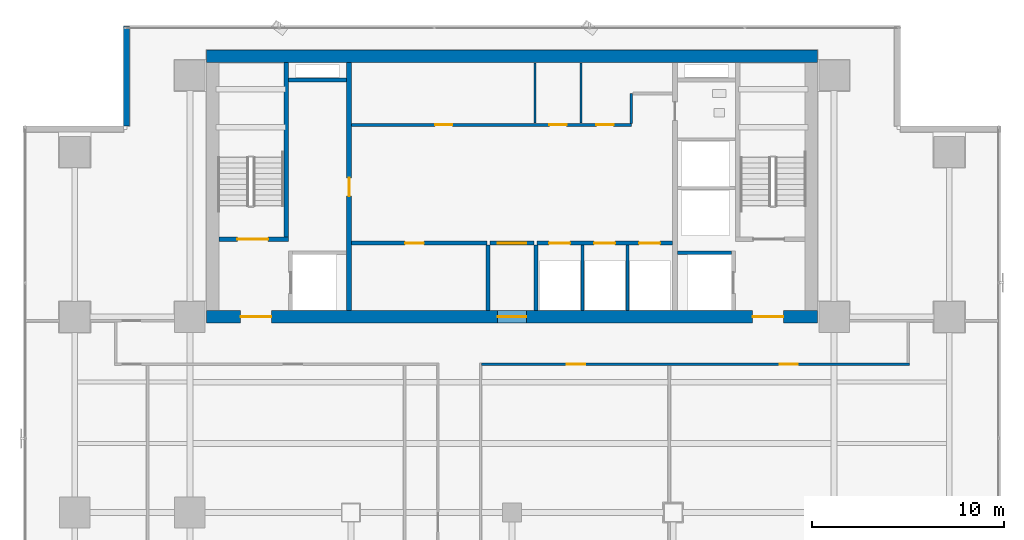
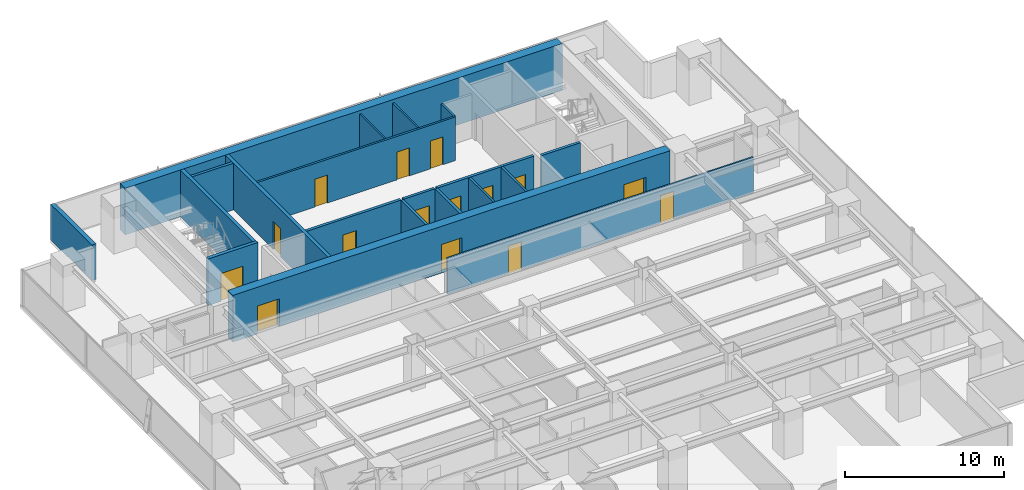
# One storey, part 29 of 37: 20 walls, 15 doors, 15 openings.
"""IFC4 building model written with IfcOpenShell, lengths in metres."""

from ifc_helpers import new_model, si_unit, direction, frame, frame_2d, origin, place, context, subcontext, project, spatial, rectangle, extrude, source, transform, mapped, material, layer, layer_set, type_object, element, fill, save


model = new_model("IFC4")

# Units and contexts
model_context = context("Model", 3, precision=1e-05, world=origin(), true_north=direction((0.0, 1.0)))
body_context = subcontext(model_context, "Body", "Model", "MODEL_VIEW")
ifc_project = project(units=[si_unit("LENGTHUNIT", "METRE"), si_unit("AREAUNIT", "SQUARE_METRE"), si_unit("VOLUMEUNIT", "CUBIC_METRE"), si_unit("PLANEANGLEUNIT", "RADIAN"), si_unit("MASSUNIT", "GRAM", prefix="KILO")], contexts=[model_context])

# Site, building, storey
site_placement = place(None, origin())
site = spatial("IfcSite", under=ifc_project, at=site_placement, CompositionType="ELEMENT")
building_placement = place(site_placement, origin())
building = spatial("IfcBuilding", under=site, at=building_placement, Name="Sumidabori Civic Tower", CompositionType="ELEMENT")
storey_placement = place(building_placement, frame((0.0, 0.0, 88.39990234375)))
storey = spatial("IfcBuildingStorey", under=building, at=storey_placement, Name="L22", CompositionType="ELEMENT", Elevation=88.39990234375)

# Walls
ifc_material_1 = material(Name="Concrete C50/60", Category="concrete")
ifc_layer_1 = layer(ifc_material_1, 0.199951171875, Name="Concrete C50/60")
ifc_layer_set_1 = layer_set([ifc_layer_1], Name="Concrete C50/60")
wall_type_1 = type_object("IfcWallType", Name="WL-SHAFT-200", PredefinedType="SHEAR", material=ifc_layer_set_1)
shared_shape_1 = source(origin(), body_context, "Body", "SweptSolid", [
    extrude(rectangle(XDim=2.824951171875, YDim=0.199951171875, at=frame_2d((1.41259765625, 0.0))), origin(), (0.0, 0.0, 1.0), 3.60009765625),
])
wall_1_placement = place(storey_placement, frame((8.625, 13.550048828125, 0.0), z_axis=(0.0, 0.0, 1.0), x_axis=(1.0, 0.0, 0.0)))
element("IfcWall", 1, at=wall_1_placement, inside=storey, type_object=wall_type_1, Name="Core Shear Wall L22 EL2-N", PredefinedType="SHEAR", context=body_context, shape_type="MappedRepresentation", body=[
    mapped(shared_shape_1, transform((0.0, 0.0, 0.0), x_axis=(1.0, 0.0, 0.0), y_axis=(0.0, 1.0, 0.0), z_axis=(0.0, 0.0, 1.0), scale=1.0)),
])
shared_shape_2 = source(origin(), body_context, "Body", "SweptSolid", [
    extrude(rectangle(XDim=3.02001953125, YDim=0.199951171875, at=frame_2d((1.510009765625, 0.0))), origin(), (0.0, 0.0, 1.0), 3.60009765625),
])
wall_2_placement = place(storey_placement, frame((-11.64501953125, 22.550048828125, 0.0), z_axis=(0.0, 0.0, 1.0), x_axis=(1.0, 0.0, 0.0)))
element("IfcWall", 2, at=wall_2_placement, inside=storey, type_object=wall_type_1, Name="Core Shear Wall L22 RIS1-S", PredefinedType="SHEAR", context=body_context, shape_type="MappedRepresentation", body=[
    mapped(shared_shape_2, transform((0.0, 0.0, 0.0), x_axis=(1.0, 0.0, 0.0), y_axis=(0.0, 1.0, 0.0), z_axis=(0.0, 0.0, 1.0), scale=1.0)),
])
ifc_material_2 = material(Name="Concrete C60/75", Category="concrete")
ifc_layer_2 = layer(ifc_material_2, 0.64990234375, Name="Concrete C60/75")
ifc_layer_set_2 = layer_set([ifc_layer_2], Name="Concrete C60/75")
wall_type_2 = type_object("IfcWallType", Name="WL-CORE-650", PredefinedType="SHEAR", material=ifc_layer_set_2)
shared_shape_3 = source(origin(), body_context, "Body", "SweptSolid", [
    extrude(rectangle(XDim=31.85009765625, YDim=0.64990234375, at=frame_2d((15.925048828125, 0.0))), origin(), (0.0, 0.0, 1.0), 3.60009765625),
])
wall_3_placement = place(storey_placement, frame((-15.925048828125, 23.800048828125, 0.0), z_axis=(0.0, 0.0, 1.0), x_axis=(1.0, 0.0, 0.0)))
element("IfcWall", 3, at=wall_3_placement, inside=storey, type_object=wall_type_2, Name="Core Shear Wall L22 N", PredefinedType="SHEAR", context=body_context, shape_type="MappedRepresentation", body=[
    mapped(shared_shape_3, transform((0.0, 0.0, 0.0), x_axis=(1.0, 0.0, 0.0), y_axis=(0.0, 1.0, 0.0), z_axis=(0.0, 0.0, 1.0), scale=1.0)),
])

# Wall, openings, doors
wall_4_placement = place(storey_placement, frame((-15.925048828125, 10.199951171875, 0.0), z_axis=(0.0, 0.0, 1.0), x_axis=(1.0, 0.0, 0.0)))
wall_4 = element("IfcWall", 4, at=wall_4_placement, inside=storey, type_object=wall_type_2, Name="Core Shear Wall L22 S", PredefinedType="SHEAR", context=body_context, shape_type="MappedRepresentation", body=[
    mapped(shared_shape_3, transform((0.0, 0.0, 0.0), x_axis=(1.0, 0.0, 0.0), y_axis=(0.0, 1.0, 0.0), z_axis=(0.0, 0.0, 1.0), scale=1.0)),
])
opening_1_placement = place(wall_4_placement, frame((1.77490234375, 0.0, 0.0)))
opening_1 = element("IfcOpeningElement", 5, at=opening_1_placement, cuts=wall_4, Name="Opening DR-FD4", PredefinedType="OPENING", context=body_context, shape_type="SweptSolid", body=[
    extrude(rectangle(XDim=1.60009765625, YDim=2.14990234375, at=frame_2d((0.800048828125, 1.074951171875))), frame((0.0, 0.3369140625, 0.0), z_axis=(0.0, -1.0, 0.0), x_axis=(1.0, 0.0, 0.0)), (0.0, 0.0, 1.0), 0.673828125),
])
opening_2_placement = place(wall_4_placement, frame((28.47509765625, 0.0, 0.0)))
opening_2 = element("IfcOpeningElement", 6, at=opening_2_placement, cuts=wall_4, Name="Opening DR-FD4", PredefinedType="OPENING", context=body_context, shape_type="SweptSolid", body=[
    extrude(rectangle(XDim=1.60009765625, YDim=2.14990234375, at=frame_2d((0.800048828125, 1.074951171875))), frame((0.0, 0.3369140625, 0.0), z_axis=(0.0, -1.0, 0.0), x_axis=(1.0, 0.0, 0.0)), (0.0, 0.0, 1.0), 0.673828125),
])
opening_3_placement = place(wall_4_placement, frame((15.175048828125, 0.0, 0.0)))
opening_3 = element("IfcOpeningElement", 7, at=opening_3_placement, cuts=wall_4, Name="Opening DR-FD3", PredefinedType="OPENING", context=body_context, shape_type="SweptSolid", body=[
    extrude(rectangle(XDim=1.5, YDim=2.199951171875, at=frame_2d((0.75, 1.10009765625))), frame((0.0, 0.3369140625, 0.0), z_axis=(0.0, -1.0, 0.0), x_axis=(1.0, 0.0, 0.0)), (0.0, 0.0, 1.0), 0.673828125),
])
ifc_material_3 = material(Name="Steel SN490", Category="steel")
door_type_1 = type_object("IfcDoorType", Name="DR-FD4", OperationType="DOUBLE_DOOR_SINGLE_SWING", PredefinedType="DOOR", material=ifc_material_3)
shared_shape_4 = source(origin(), body_context, "Body", "SweptSolid", [
    extrude(rectangle(XDim=1.60009765625, YDim=2.14990234375, at=frame_2d((0.800048828125, 1.074951171875))), frame((0.0, 0.02490234375, 0.0), z_axis=(0.0, -1.0, 0.0), x_axis=(1.0, 0.0, 0.0)), (0.0, 0.0, 1.0), 0.050048828125),
])
door_1_placement = place(opening_1_placement, origin())
door_1 = element("IfcDoor", 8, at=door_1_placement, inside=storey, type_object=door_type_1, Name="Door DR:L22:ELOB-W", OperationType="DOUBLE_DOOR_SINGLE_SWING", OverallHeight=2.14990234375, OverallWidth=1.60009765625, PredefinedType="DOOR", context=body_context, shape_type="MappedRepresentation", body=[
    mapped(shared_shape_4, transform((0.0, 0.0, 0.0), x_axis=(1.0, 0.0, 0.0), y_axis=(0.0, 1.0, 0.0), z_axis=(0.0, 0.0, 1.0), scale=1.0)),
])
fill(opening_1, door_1)
door_2_placement = place(opening_2_placement, origin())
door_2 = element("IfcDoor", 9, at=door_2_placement, inside=storey, type_object=door_type_1, Name="Door DR:L22:ELOB-E", OperationType="DOUBLE_DOOR_SINGLE_SWING", OverallHeight=2.14990234375, OverallWidth=1.60009765625, PredefinedType="DOOR", context=body_context, shape_type="MappedRepresentation", body=[
    mapped(shared_shape_4, transform((0.0, 0.0, 0.0), x_axis=(1.0, 0.0, 0.0), y_axis=(0.0, 1.0, 0.0), z_axis=(0.0, 0.0, 1.0), scale=1.0)),
])
fill(opening_2, door_2)
door_type_2 = type_object("IfcDoorType", Name="DR-FD-DBL", OperationType="DOUBLE_DOOR_SINGLE_SWING", PredefinedType="DOOR", material=ifc_material_3)
shared_shape_5 = source(origin(), body_context, "Body", "SweptSolid", [
    extrude(rectangle(XDim=1.5, YDim=2.199951171875, at=frame_2d((0.75, 1.10009765625))), frame((0.0, 0.02490234375, 0.0), z_axis=(0.0, -1.0, 0.0), x_axis=(1.0, 0.0, 0.0)), (0.0, 0.0, 1.0), 0.050048828125),
])
door_3_placement = place(opening_3_placement, origin())
door_3 = element("IfcDoor", 10, at=door_3_placement, inside=storey, type_object=door_type_2, Name="Door DR:L22:THROAT-OUT", OperationType="DOUBLE_DOOR_SINGLE_SWING", OverallHeight=2.199951171875, OverallWidth=1.5, PredefinedType="DOOR", context=body_context, shape_type="MappedRepresentation", body=[
    mapped(shared_shape_5, transform((0.0, 0.0, 0.0), x_axis=(1.0, 0.0, 0.0), y_axis=(0.0, 1.0, 0.0), z_axis=(0.0, 0.0, 1.0), scale=1.0)),
])
fill(opening_3, door_3)

# Wall, opening, door
ifc_layer_3 = layer(ifc_material_1, 0.25, Name="Concrete C50/60")
ifc_layer_set_3 = layer_set([ifc_layer_3], Name="Concrete C50/60")
wall_type_3 = type_object("IfcWallType", Name="WL-SHAFT-250", PredefinedType="SHEAR", material=ifc_layer_set_3)
shared_shape_6 = source(origin(), body_context, "Body", "SweptSolid", [
    extrude(rectangle(XDim=12.9501953125, YDim=0.25, at=frame_2d((6.47509765625, 0.0))), origin(), (0.0, 0.0, 1.0), 3.60009765625),
])
wall_5_placement = place(storey_placement, frame((-8.5, 10.52490234375, 0.0), z_axis=(0.0, 0.0, 1.0), x_axis=(0.0, 1.0, 0.0)))
wall_5 = element("IfcWall", 11, at=wall_5_placement, inside=storey, type_object=wall_type_3, Name="Core Shear Wall L22 WEB-W", PredefinedType="SHEAR", context=body_context, shape_type="MappedRepresentation", body=[
    mapped(shared_shape_6, transform((0.0, 0.0, 0.0), x_axis=(1.0, 0.0, 0.0), y_axis=(0.0, 1.0, 0.0), z_axis=(0.0, 0.0, 1.0), scale=1.0)),
])
opening_4_placement = place(wall_5_placement, frame((5.97509765625, 0.0, 0.0)))
opening_4 = element("IfcOpeningElement", 12, at=opening_4_placement, cuts=wall_5, Name="Opening DR-FD2", PredefinedType="OPENING", context=body_context, shape_type="SweptSolid", body=[
    extrude(rectangle(XDim=0.949951171875, YDim=2.14990234375, at=frame_2d((0.47509765625, 1.074951171875))), frame((0.0, 0.136962890625, 0.0), z_axis=(0.0, -1.0, 0.0), x_axis=(1.0, 0.0, 0.0)), (0.0, 0.0, 1.0), 0.27392578125),
])
door_type_3 = type_object("IfcDoorType", Name="DR-FD2", OperationType="NOTDEFINED", PredefinedType="DOOR", material=ifc_material_3)
shared_shape_7 = source(origin(), body_context, "Body", "SweptSolid", [
    extrude(rectangle(XDim=0.949951171875, YDim=2.14990234375, at=frame_2d((0.47509765625, 1.074951171875))), frame((0.0, 0.02490234375, 0.0), z_axis=(0.0, -1.0, 0.0), x_axis=(1.0, 0.0, 0.0)), (0.0, 0.0, 1.0), 0.050048828125),
])
door_4_placement = place(opening_4_placement, origin())
door_4 = element("IfcDoor", 13, at=door_4_placement, inside=storey, type_object=door_type_3, Name="Door DR:L22:CW-STR", OperationType="SINGLE_SWING_LEFT", OverallHeight=2.14990234375, OverallWidth=0.949951171875, PredefinedType="DOOR", context=body_context, shape_type="MappedRepresentation", body=[
    mapped(shared_shape_7, transform((0.0, 0.0, 0.0), x_axis=(1.0, 0.0, 0.0), y_axis=(0.0, 1.0, 0.0), z_axis=(0.0, 0.0, 1.0), scale=1.0)),
])
fill(opening_4, door_4)

shared_shape_8 = source(origin(), body_context, "Body", "SweptSolid", [
    extrude(rectangle(XDim=3.6298828125, YDim=0.25, at=frame_2d((1.81494140625, 0.0))), origin(), (0.0, 0.0, 1.0), 3.60009765625),
])
wall_6_placement = place(storey_placement, frame((-15.27490234375, 14.25, 0.0), z_axis=(0.0, 0.0, 1.0), x_axis=(1.0, 0.0, 0.0)))
wall_6 = element("IfcWall", 14, at=wall_6_placement, inside=storey, type_object=wall_type_3, Name="Core Shear Wall L22 ST1-S", PredefinedType="SHEAR", context=body_context, shape_type="MappedRepresentation", body=[
    mapped(shared_shape_8, transform((0.0, 0.0, 0.0), x_axis=(1.0, 0.0, 0.0), y_axis=(0.0, 1.0, 0.0), z_axis=(0.0, 0.0, 1.0), scale=1.0)),
])
opening_5_placement = place(wall_6_placement, frame((0.949951171875, 0.0, 0.0)))
opening_5 = element("IfcOpeningElement", 15, at=opening_5_placement, cuts=wall_6, Name="Opening DR-FD4", PredefinedType="OPENING", context=body_context, shape_type="SweptSolid", body=[
    extrude(rectangle(XDim=1.60009765625, YDim=2.14990234375, at=frame_2d((0.800048828125, 1.074951171875))), frame((0.0, 0.136962890625, 0.0), z_axis=(0.0, -1.0, 0.0), x_axis=(1.0, 0.0, 0.0)), (0.0, 0.0, 1.0), 0.27392578125),
])
door_5_placement = place(opening_5_placement, origin())
door_5 = element("IfcDoor", 16, at=door_5_placement, inside=storey, type_object=door_type_1, Name="Door DR:L22:ST1", OperationType="DOUBLE_DOOR_SINGLE_SWING", OverallHeight=2.14990234375, OverallWidth=1.60009765625, PredefinedType="DOOR", context=body_context, shape_type="MappedRepresentation", body=[
    mapped(shared_shape_4, transform((0.0, 0.0, 0.0), x_axis=(1.0, 0.0, 0.0), y_axis=(0.0, 1.0, 0.0), z_axis=(0.0, 0.0, 1.0), scale=1.0)),
])
fill(opening_5, door_5)

# Walls
shared_shape_9 = source(origin(), body_context, "Body", "SweptSolid", [
    extrude(rectangle(XDim=9.10009765625, YDim=0.25, at=frame_2d((4.550048828125, 0.0))), origin(), (0.0, 0.0, 1.0), 3.60009765625),
])
wall_7_placement = place(storey_placement, frame((-11.77001953125, 14.375, 0.0), z_axis=(0.0, 0.0, 1.0), x_axis=(0.0, 1.0, 0.0)))
element("IfcWall", 17, at=wall_7_placement, inside=storey, type_object=wall_type_3, Name="Core Shear Wall L22 ST1-E", PredefinedType="SHEAR", context=body_context, shape_type="MappedRepresentation", body=[
    mapped(shared_shape_9, transform((0.0, 0.0, 0.0), x_axis=(1.0, 0.0, 0.0), y_axis=(0.0, 1.0, 0.0), z_axis=(0.0, 0.0, 1.0), scale=1.0)),
])
ifc_material_4 = material(Name="Precast concrete C40/50", Category="concrete")
ifc_layer_4 = layer(ifc_material_4, 0.300048828125, Name="Precast concrete C40/50")
ifc_layer_set_4 = layer_set([ifc_layer_4], Name="Precast concrete C40/50")
wall_type_4 = type_object("IfcWallType", Name="WL-EXT-POD300", PredefinedType="STANDARD", material=ifc_layer_set_4)
shared_shape_10 = source(origin(), body_context, "Body", "SweptSolid", [
    extrude(rectangle(XDim=5.2099609375, YDim=0.300048828125, at=frame_2d((2.60498046875, 0.0))), origin(), (0.0, 0.0, 1.0), 2.739990234375),
])
wall_8_placement = place(storey_placement, frame((-20.10009765625, 25.3798828125, 0.0), z_axis=(0.0, 0.0, 1.0), x_axis=(0.0, -1.0, 0.0)))
element("IfcWall", 18, at=wall_8_placement, inside=storey, type_object=wall_type_4, Name="Notched Corner Spandrel Band L22-08", PredefinedType="STANDARD", context=body_context, shape_type="MappedRepresentation", body=[
    mapped(shared_shape_10, transform((0.0, 0.0, 0.0), x_axis=(1.0, 0.0, 0.0), y_axis=(0.0, 1.0, 0.0), z_axis=(0.0, 0.0, 1.0), scale=1.0)),
])

# Wall, opening, door
ifc_material_5 = material(Name="Gypsum Plasterboard Fire Partition")
ifc_layer_5 = layer(ifc_material_5, 0.199951171875, Name="Gypsum Plasterboard Fire Partition")
ifc_layer_set_5 = layer_set([ifc_layer_5], Name="Gypsum Plasterboard Fire Partition")
wall_type_5 = type_object("IfcWallType", Name="WL-PART-FIRE", PredefinedType="PARTITIONING", material=ifc_layer_set_5)
shared_shape_11 = source(origin(), body_context, "Body", "SweptSolid", [
    extrude(rectangle(XDim=7.070068359375, YDim=0.199951171875, at=frame_2d((3.53515625, 0.0))), origin(), (0.0, 0.0, 1.0), 3.360107421875),
])
wall_9_placement = place(storey_placement, frame((-8.3701171875, 14.050048828125, 0.0), z_axis=(0.0, 0.0, 1.0), x_axis=(1.0, 0.0, 0.0)))
wall_9 = element("IfcWall", 19, at=wall_9_placement, inside=storey, type_object=wall_type_5, Name="Interior Partition WL:L22:CBAND-SW", PredefinedType="PARTITIONING", context=body_context, shape_type="MappedRepresentation", body=[
    mapped(shared_shape_11, transform((0.0, 0.0, 0.0), x_axis=(1.0, 0.0, 0.0), y_axis=(0.0, 1.0, 0.0), z_axis=(0.0, 0.0, 1.0), scale=1.0)),
])
opening_6_placement = place(wall_9_placement, frame((2.800048828125, 0.0, 0.0)))
opening_6 = element("IfcOpeningElement", 20, at=opening_6_placement, cuts=wall_9, Name="Opening DR-3", PredefinedType="OPENING", context=body_context, shape_type="SweptSolid", body=[
    extrude(rectangle(XDim=0.97998046875, YDim=2.14990234375, at=frame_2d((0.489990234375, 1.074951171875))), frame((0.0, 0.11181640625, 0.0), z_axis=(0.0, -1.0, 0.0), x_axis=(1.0, 0.0, 0.0)), (0.0, 0.0, 1.0), 0.223876953125),
])
ifc_material_6 = material(Name="Japanese Hinoki Timber", Category="wood")
door_type_4 = type_object("IfcDoorType", Name="DR-INT-980", OperationType="NOTDEFINED", PredefinedType="DOOR", material=ifc_material_6)
shared_shape_12 = source(origin(), body_context, "Body", "SweptSolid", [
    extrude(rectangle(XDim=0.97998046875, YDim=2.14990234375, at=frame_2d((0.489990234375, 1.074951171875))), frame((0.0, 0.02490234375, 0.0), z_axis=(0.0, -1.0, 0.0), x_axis=(1.0, 0.0, 0.0)), (0.0, 0.0, 1.0), 0.050048828125),
])
door_6_placement = place(opening_6_placement, origin())
door_6 = element("IfcDoor", 21, at=door_6_placement, inside=storey, type_object=door_type_4, Name="Door DR:L22:REC-B1", OperationType="SINGLE_SWING_LEFT", OverallHeight=2.14990234375, OverallWidth=0.97998046875, PredefinedType="DOOR", context=body_context, shape_type="MappedRepresentation", body=[
    mapped(shared_shape_12, transform((0.0, 0.0, 0.0), x_axis=(1.0, 0.0, 0.0), y_axis=(0.0, 1.0, 0.0), z_axis=(0.0, 0.0, 1.0), scale=1.0)),
])
fill(opening_6, door_6)

# Wall, openings, doors
wall_10_placement = place(storey_placement, frame((1.300048828125, 14.050048828125, 0.0), z_axis=(0.0, 0.0, 1.0), x_axis=(1.0, 0.0, 0.0)))
wall_10 = element("IfcWall", 22, at=wall_10_placement, inside=storey, type_object=wall_type_5, Name="Interior Partition WL:L22:CBAND-SE", PredefinedType="PARTITIONING", context=body_context, shape_type="MappedRepresentation", body=[
    mapped(shared_shape_11, transform((0.0, 0.0, 0.0), x_axis=(1.0, 0.0, 0.0), y_axis=(0.0, 1.0, 0.0), z_axis=(0.0, 0.0, 1.0), scale=1.0)),
])
opening_7_placement = place(wall_10_placement, frame((0.6298828125, 0.0, 0.0)))
opening_7 = element("IfcOpeningElement", 23, at=opening_7_placement, cuts=wall_10, Name="Opening LD-1", PredefinedType="OPENING", context=body_context, shape_type="SweptSolid", body=[
    extrude(rectangle(XDim=1.10009765625, YDim=2.14990234375, at=frame_2d((0.550048828125, 1.074951171875))), frame((0.0, 0.11181640625, 0.0), z_axis=(0.0, -1.0, 0.0), x_axis=(1.0, 0.0, 0.0)), (0.0, 0.0, 1.0), 0.223876953125),
])
opening_8_placement = place(wall_10_placement, frame((2.97998046875, 0.0, 0.0)))
opening_8 = element("IfcOpeningElement", 24, at=opening_8_placement, cuts=wall_10, Name="Opening LD-1", PredefinedType="OPENING", context=body_context, shape_type="SweptSolid", body=[
    extrude(rectangle(XDim=1.10009765625, YDim=2.14990234375, at=frame_2d((0.550048828125, 1.074951171875))), frame((0.0, 0.11181640625, 0.0), z_axis=(0.0, -1.0, 0.0), x_axis=(1.0, 0.0, 0.0)), (0.0, 0.0, 1.0), 0.223876953125),
])
opening_9_placement = place(wall_10_placement, frame((5.330078125, 0.0, 0.0)))
opening_9 = element("IfcOpeningElement", 25, at=opening_9_placement, cuts=wall_10, Name="Opening LD-1", PredefinedType="OPENING", context=body_context, shape_type="SweptSolid", body=[
    extrude(rectangle(XDim=1.10009765625, YDim=2.14990234375, at=frame_2d((0.550048828125, 1.074951171875))), frame((0.0, 0.11181640625, 0.0), z_axis=(0.0, -1.0, 0.0), x_axis=(1.0, 0.0, 0.0)), (0.0, 0.0, 1.0), 0.223876953125),
])
ifc_material_7 = material(Name="Stainless Steel Hairline Finish", Category="steel")
door_type_5 = type_object("IfcDoorType", Name="DR-LD1", OperationType="DOUBLE_DOOR_SLIDING", PredefinedType="DOOR", material=ifc_material_7)
shared_shape_13 = source(origin(), body_context, "Body", "SweptSolid", [
    extrude(rectangle(XDim=1.10009765625, YDim=2.14990234375, at=frame_2d((0.550048828125, 1.074951171875))), frame((0.0, 0.02490234375, 0.0), z_axis=(0.0, -1.0, 0.0), x_axis=(1.0, 0.0, 0.0)), (0.0, 0.0, 1.0), 0.050048828125),
])
door_7_placement = place(opening_7_placement, origin())
door_7 = element("IfcDoor", 26, at=door_7_placement, inside=storey, type_object=door_type_5, Name="Door DR:L22:LD-PLM1", OperationType="DOUBLE_DOOR_SLIDING", OverallHeight=2.14990234375, OverallWidth=1.10009765625, PredefinedType="DOOR", context=body_context, shape_type="MappedRepresentation", body=[
    mapped(shared_shape_13, transform((0.0, 0.0, 0.0), x_axis=(1.0, 0.0, 0.0), y_axis=(0.0, 1.0, 0.0), z_axis=(0.0, 0.0, 1.0), scale=1.0)),
])
fill(opening_7, door_7)
door_8_placement = place(opening_8_placement, origin())
door_8 = element("IfcDoor", 27, at=door_8_placement, inside=storey, type_object=door_type_5, Name="Door DR:L22:LD-PLM2", OperationType="DOUBLE_DOOR_SLIDING", OverallHeight=2.14990234375, OverallWidth=1.10009765625, PredefinedType="DOOR", context=body_context, shape_type="MappedRepresentation", body=[
    mapped(shared_shape_13, transform((0.0, 0.0, 0.0), x_axis=(1.0, 0.0, 0.0), y_axis=(0.0, 1.0, 0.0), z_axis=(0.0, 0.0, 1.0), scale=1.0)),
])
fill(opening_8, door_8)
door_9_placement = place(opening_9_placement, origin())
door_9 = element("IfcDoor", 28, at=door_9_placement, inside=storey, type_object=door_type_5, Name="Door DR:L22:LD-PLM3", OperationType="DOUBLE_DOOR_SLIDING", OverallHeight=2.14990234375, OverallWidth=1.10009765625, PredefinedType="DOOR", context=body_context, shape_type="MappedRepresentation", body=[
    mapped(shared_shape_13, transform((0.0, 0.0, 0.0), x_axis=(1.0, 0.0, 0.0), y_axis=(0.0, 1.0, 0.0), z_axis=(0.0, 0.0, 1.0), scale=1.0)),
])
fill(opening_9, door_9)

# Wall, opening, door
shared_shape_14 = source(origin(), body_context, "Body", "SweptSolid", [
    extrude(rectangle(XDim=2.2998046875, YDim=0.199951171875, at=frame_2d((1.14990234375, 0.0))), origin(), (0.0, 0.0, 1.0), 3.360107421875),
])
wall_11_placement = place(storey_placement, frame((-1.14990234375, 14.050048828125, 0.0), z_axis=(0.0, 0.0, 1.0), x_axis=(1.0, 0.0, 0.0)))
wall_11 = element("IfcWall", 29, at=wall_11_placement, inside=storey, type_object=wall_type_5, Name="Interior Partition WL:L22:THROAT-N", PredefinedType="PARTITIONING", context=body_context, shape_type="MappedRepresentation", body=[
    mapped(shared_shape_14, transform((0.0, 0.0, 0.0), x_axis=(1.0, 0.0, 0.0), y_axis=(0.0, 1.0, 0.0), z_axis=(0.0, 0.0, 1.0), scale=1.0)),
])
opening_10_placement = place(wall_11_placement, frame((0.39990234375, 0.0, 0.0)))
opening_10 = element("IfcOpeningElement", 30, at=opening_10_placement, cuts=wall_11, Name="Opening DR-FD3", PredefinedType="OPENING", context=body_context, shape_type="SweptSolid", body=[
    extrude(rectangle(XDim=1.5, YDim=2.199951171875, at=frame_2d((0.75, 1.10009765625))), frame((0.0, 0.11181640625, 0.0), z_axis=(0.0, -1.0, 0.0), x_axis=(1.0, 0.0, 0.0)), (0.0, 0.0, 1.0), 0.223876953125),
])
door_10_placement = place(opening_10_placement, origin())
door_10 = element("IfcDoor", 31, at=door_10_placement, inside=storey, type_object=door_type_2, Name="Door DR:L22:THROAT-IN", OperationType="DOUBLE_DOOR_SINGLE_SWING", OverallHeight=2.199951171875, OverallWidth=1.5, PredefinedType="DOOR", context=body_context, shape_type="MappedRepresentation", body=[
    mapped(shared_shape_5, transform((0.0, 0.0, 0.0), x_axis=(1.0, 0.0, 0.0), y_axis=(0.0, 1.0, 0.0), z_axis=(0.0, 0.0, 1.0), scale=1.0)),
])
fill(opening_10, door_10)

# Wall, openings, doors
ifc_material_8 = material(Name="Gypsum Plasterboard Acoustic Partition")
ifc_layer_6 = layer(ifc_material_8, 0.14990234375, Name="Gypsum Plasterboard Acoustic Partition")
ifc_layer_set_6 = layer_set([ifc_layer_6], Name="Gypsum Plasterboard Acoustic Partition")
wall_type_6 = type_object("IfcWallType", Name="WL-PART-150", PredefinedType="PARTITIONING", material=ifc_layer_set_6)
shared_shape_15 = source(origin(), body_context, "Body", "SweptSolid", [
    extrude(rectangle(XDim=14.590087890625, YDim=0.14990234375, at=frame_2d((7.294921875, 0.0))), origin(), (0.0, 0.0, 1.0), 3.360107421875),
])
wall_12_placement = place(storey_placement, frame((-8.3701171875, 20.219970703125, 0.0), z_axis=(0.0, 0.0, 1.0), x_axis=(1.0, 0.0, 0.0)))
wall_12 = element("IfcWall", 32, at=wall_12_placement, inside=storey, type_object=wall_type_6, Name="Interior Partition WL:L22:CBAND-M", PredefinedType="PARTITIONING", context=body_context, shape_type="MappedRepresentation", body=[
    mapped(shared_shape_15, transform((0.0, 0.0, 0.0), x_axis=(1.0, 0.0, 0.0), y_axis=(0.0, 1.0, 0.0), z_axis=(0.0, 0.0, 1.0), scale=1.0)),
])
opening_11_placement = place(wall_12_placement, frame((4.360107421875, 0.0, 0.0)))
opening_11 = element("IfcOpeningElement", 33, at=opening_11_placement, cuts=wall_12, Name="Opening DR-1", PredefinedType="OPENING", context=body_context, shape_type="SweptSolid", body=[
    extrude(rectangle(XDim=0.89990234375, YDim=2.14990234375, at=frame_2d((0.449951171875, 1.074951171875))), frame((0.0, 0.0869140625, 0.0), z_axis=(0.0, -1.0, 0.0), x_axis=(1.0, 0.0, 0.0)), (0.0, 0.0, 1.0), 0.173828125),
])
opening_12_placement = place(wall_12_placement, frame((10.320068359375, 0.0, 0.0)))
opening_12 = element("IfcOpeningElement", 34, at=opening_12_placement, cuts=wall_12, Name="Opening DR-1", PredefinedType="OPENING", context=body_context, shape_type="SweptSolid", body=[
    extrude(rectangle(XDim=0.89990234375, YDim=2.14990234375, at=frame_2d((0.449951171875, 1.074951171875))), frame((0.0, 0.0869140625, 0.0), z_axis=(0.0, -1.0, 0.0), x_axis=(1.0, 0.0, 0.0)), (0.0, 0.0, 1.0), 0.173828125),
])
opening_13_placement = place(wall_12_placement, frame((12.77001953125, 0.0, 0.0)))
opening_13 = element("IfcOpeningElement", 35, at=opening_13_placement, cuts=wall_12, Name="Opening DR-1", PredefinedType="OPENING", context=body_context, shape_type="SweptSolid", body=[
    extrude(rectangle(XDim=0.89990234375, YDim=2.14990234375, at=frame_2d((0.449951171875, 1.074951171875))), frame((0.0, 0.0869140625, 0.0), z_axis=(0.0, -1.0, 0.0), x_axis=(1.0, 0.0, 0.0)), (0.0, 0.0, 1.0), 0.173828125),
])
door_type_6 = type_object("IfcDoorType", Name="DR-INT-900", OperationType="NOTDEFINED", PredefinedType="DOOR", material=ifc_material_6)
shared_shape_16 = source(origin(), body_context, "Body", "SweptSolid", [
    extrude(rectangle(XDim=0.89990234375, YDim=2.14990234375, at=frame_2d((0.449951171875, 1.074951171875))), frame((0.0, 0.02490234375, 0.0), z_axis=(0.0, -1.0, 0.0), x_axis=(1.0, 0.0, 0.0)), (0.0, 0.0, 1.0), 0.050048828125),
])
door_11_placement = place(opening_11_placement, origin())
door_11 = element("IfcDoor", 36, at=door_11_placement, inside=storey, type_object=door_type_6, Name="Door DR:L22:CB-1", OperationType="SINGLE_SWING_LEFT", OverallHeight=2.14990234375, OverallWidth=0.89990234375, PredefinedType="DOOR", context=body_context, shape_type="MappedRepresentation", body=[
    mapped(shared_shape_16, transform((0.0, 0.0, 0.0), x_axis=(1.0, 0.0, 0.0), y_axis=(0.0, 1.0, 0.0), z_axis=(0.0, 0.0, 1.0), scale=1.0)),
])
fill(opening_11, door_11)
door_12_placement = place(opening_12_placement, origin())
door_12 = element("IfcDoor", 37, at=door_12_placement, inside=storey, type_object=door_type_6, Name="Door DR:L22:CB-2", OperationType="SINGLE_SWING_RIGHT", OverallHeight=2.14990234375, OverallWidth=0.89990234375, PredefinedType="DOOR", context=body_context, shape_type="MappedRepresentation", body=[
    mapped(shared_shape_16, transform((0.0, 0.0, 0.0), x_axis=(1.0, 0.0, 0.0), y_axis=(0.0, 1.0, 0.0), z_axis=(0.0, 0.0, 1.0), scale=1.0)),
])
fill(opening_12, door_12)
door_13_placement = place(opening_13_placement, origin())
door_13 = element("IfcDoor", 38, at=door_13_placement, inside=storey, type_object=door_type_6, Name="Door DR:L22:CB-3", OperationType="SINGLE_SWING_LEFT", OverallHeight=2.14990234375, OverallWidth=0.89990234375, PredefinedType="DOOR", context=body_context, shape_type="MappedRepresentation", body=[
    mapped(shared_shape_16, transform((0.0, 0.0, 0.0), x_axis=(1.0, 0.0, 0.0), y_axis=(0.0, 1.0, 0.0), z_axis=(0.0, 0.0, 1.0), scale=1.0)),
])
fill(opening_13, door_13)

# Walls
shared_shape_17 = source(origin(), body_context, "Body", "SweptSolid", [
    extrude(rectangle(XDim=1.550048828125, YDim=0.14990234375, at=frame_2d((0.77490234375, 0.0))), origin(), (0.0, 0.0, 1.0), 3.360107421875),
])
wall_13_placement = place(storey_placement, frame((6.219970703125, 20.300048828125, 0.0), z_axis=(0.0, 0.0, 1.0), x_axis=(0.0, 1.0, 0.0)))
element("IfcWall", 39, at=wall_13_placement, inside=storey, type_object=wall_type_6, Name="Interior Partition WL:L22:CBAND-ME1", PredefinedType="PARTITIONING", context=body_context, shape_type="MappedRepresentation", body=[
    mapped(shared_shape_17, transform((0.0, 0.0, 0.0), x_axis=(1.0, 0.0, 0.0), y_axis=(0.0, 1.0, 0.0), z_axis=(0.0, 0.0, 1.0), scale=1.0)),
])
shared_shape_18 = source(origin(), body_context, "Body", "SweptSolid", [
    extrude(rectangle(XDim=3.4150390625, YDim=0.199951171875, at=frame_2d((1.70751953125, 0.0))), origin(), (0.0, 0.0, 1.0), 3.360107421875),
])
for number, where, z_axis, x_axis, name in (
    (40, (-1.25, 10.52490234375, 0.0), (0.0, 0.0, 1.0), (0.0, 1.0, 0.0), "Interior Partition WL:L22:THROAT-W"),
    (41, (1.25, 10.52490234375, 0.0), (0.0, 0.0, 1.0), (0.0, 1.0, 0.0), "Interior Partition WL:L22:THROAT-E"),
):
    element("IfcWall", number, at=place(storey_placement, frame(where, z_axis=z_axis, x_axis=x_axis)), inside=storey, type_object=wall_type_5, Name=name, PredefinedType="PARTITIONING", context=body_context, shape_type="MappedRepresentation", body=[
        mapped(shared_shape_18, transform((0.0, 0.0, 0.0), x_axis=(1.0, 0.0, 0.0), y_axis=(0.0, 1.0, 0.0), z_axis=(0.0, 0.0, 1.0), scale=1.0)),
    ])
shared_shape_19 = source(origin(), body_context, "Body", "SweptSolid", [
    extrude(rectangle(XDim=3.4150390625, YDim=0.14990234375, at=frame_2d((1.70751953125, 0.0))), origin(), (0.0, 0.0, 1.0), 3.360107421875),
])
for number, where, z_axis, x_axis, name in (
    (42, (3.669921875, 10.52490234375, 0.0), (0.0, 0.0, 1.0), (0.0, 1.0, 0.0), "Interior Partition WL:L22:DIV-PLM1"),
    (43, (6.02001953125, 10.52490234375, 0.0), (0.0, 0.0, 1.0), (0.0, 1.0, 0.0), "Interior Partition WL:L22:DIV-PLM2"),
):
    element("IfcWall", number, at=place(storey_placement, frame(where, z_axis=z_axis, x_axis=x_axis)), inside=storey, type_object=wall_type_6, Name=name, PredefinedType="PARTITIONING", context=body_context, shape_type="MappedRepresentation", body=[
        mapped(shared_shape_19, transform((0.0, 0.0, 0.0), x_axis=(1.0, 0.0, 0.0), y_axis=(0.0, 1.0, 0.0), z_axis=(0.0, 0.0, 1.0), scale=1.0)),
    ])
ifc_layer_7 = layer(ifc_material_8, 0.1201171875, Name="Gypsum Plasterboard Acoustic Partition")
ifc_layer_set_7 = layer_set([ifc_layer_7], Name="Gypsum Plasterboard Acoustic Partition")
wall_type_7 = type_object("IfcWallType", Name="WL-PART-120", PredefinedType="PARTITIONING", material=ifc_layer_set_7)
shared_shape_20 = source(origin(), body_context, "Body", "SweptSolid", [
    extrude(rectangle(XDim=3.114990234375, YDim=0.1201171875, at=frame_2d((1.5576171875, 0.0))), origin(), (0.0, 0.0, 1.0), 3.360107421875),
])
for number, where, z_axis, x_axis, name in (
    (44, (1.199951171875, 20.320068359375, 0.0), (0.0, 0.0, 1.0), (0.0, 1.0, 0.0), "Interior Partition WL:L22:LV8-S1"),
    (45, (3.60009765625, 20.320068359375, 0.0), (0.0, 0.0, 1.0), (0.0, 1.0, 0.0), "Interior Partition WL:L22:LV8-S2"),
):
    element("IfcWall", number, at=place(storey_placement, frame(where, z_axis=z_axis, x_axis=x_axis)), inside=storey, type_object=wall_type_7, Name=name, PredefinedType="PARTITIONING", context=body_context, shape_type="MappedRepresentation", body=[
        mapped(shared_shape_20, transform((0.0, 0.0, 0.0), x_axis=(1.0, 0.0, 0.0), y_axis=(0.0, 1.0, 0.0), z_axis=(0.0, 0.0, 1.0), scale=1.0)),
    ])

# Wall, openings, doors
shared_shape_21 = source(origin(), body_context, "Body", "SweptSolid", [
    extrude(rectangle(XDim=22.300048828125, YDim=0.1201171875, at=frame_2d((11.14990234375, 0.0))), origin(), (0.0, 0.0, 1.0), 2.7451171875),
])
wall_14_placement = place(storey_placement, frame((-1.580078125, 7.739990234375, 0.0), z_axis=(0.0, 0.0, 1.0), x_axis=(1.0, 0.0, 0.0)))
wall_14 = element("IfcWall", 46, at=wall_14_placement, inside=storey, type_object=wall_type_7, Name="Interior Partition WL:L22:CORR-SE", PredefinedType="PARTITIONING", context=body_context, shape_type="MappedRepresentation", body=[
    mapped(shared_shape_21, transform((0.0, 0.0, 0.0), x_axis=(1.0, 0.0, 0.0), y_axis=(0.0, 1.0, 0.0), z_axis=(0.0, 0.0, 1.0), scale=1.0)),
])
opening_14_placement = place(wall_14_placement, frame((4.445068359375, 0.0, 0.0)))
opening_14 = element("IfcOpeningElement", 47, at=opening_14_placement, cuts=wall_14, Name="Opening DR-2", PredefinedType="OPENING", context=body_context, shape_type="SweptSolid", body=[
    extrude(rectangle(XDim=0.949951171875, YDim=2.14990234375, at=frame_2d((0.47509765625, 1.074951171875))), frame((0.0, 0.072021484375, 0.0), z_axis=(0.0, -1.0, 0.0), x_axis=(1.0, 0.0, 0.0)), (0.0, 0.0, 1.0), 0.14404296875),
])
opening_15_placement = place(wall_14_placement, frame((15.534912109375, 0.0, 0.0)))
opening_15 = element("IfcOpeningElement", 48, at=opening_15_placement, cuts=wall_14, Name="Opening DR-2", PredefinedType="OPENING", context=body_context, shape_type="SweptSolid", body=[
    extrude(rectangle(XDim=0.949951171875, YDim=2.14990234375, at=frame_2d((0.47509765625, 1.074951171875))), frame((0.0, 0.072021484375, 0.0), z_axis=(0.0, -1.0, 0.0), x_axis=(1.0, 0.0, 0.0)), (0.0, 0.0, 1.0), 0.14404296875),
])
door_type_7 = type_object("IfcDoorType", Name="DR-INT-950", OperationType="NOTDEFINED", PredefinedType="DOOR", material=ifc_material_6)
shared_shape_22 = source(origin(), body_context, "Body", "SweptSolid", [
    extrude(rectangle(XDim=0.949951171875, YDim=2.14990234375, at=frame_2d((0.47509765625, 1.074951171875))), frame((0.0, 0.02490234375, 0.0), z_axis=(0.0, -1.0, 0.0), x_axis=(1.0, 0.0, 0.0)), (0.0, 0.0, 1.0), 0.050048828125),
])
door_14_placement = place(opening_14_placement, origin())
door_14 = element("IfcDoor", 49, at=door_14_placement, inside=storey, type_object=door_type_7, Name="Door DR:L22:D04", OperationType="SINGLE_SWING_RIGHT", OverallHeight=2.14990234375, OverallWidth=0.949951171875, PredefinedType="DOOR", context=body_context, shape_type="MappedRepresentation", body=[
    mapped(shared_shape_22, transform((0.0, 0.0, 0.0), x_axis=(1.0, 0.0, 0.0), y_axis=(0.0, 1.0, 0.0), z_axis=(0.0, 0.0, 1.0), scale=1.0)),
])
fill(opening_14, door_14)
door_15_placement = place(opening_15_placement, origin())
door_15 = element("IfcDoor", 50, at=door_15_placement, inside=storey, type_object=door_type_7, Name="Door DR:L22:D06", OperationType="SINGLE_SWING_RIGHT", OverallHeight=2.14990234375, OverallWidth=0.949951171875, PredefinedType="DOOR", context=body_context, shape_type="MappedRepresentation", body=[
    mapped(shared_shape_22, transform((0.0, 0.0, 0.0), x_axis=(1.0, 0.0, 0.0), y_axis=(0.0, 1.0, 0.0), z_axis=(0.0, 0.0, 1.0), scale=1.0)),
])
fill(opening_15, door_15)

save(model, "model.ifc")
